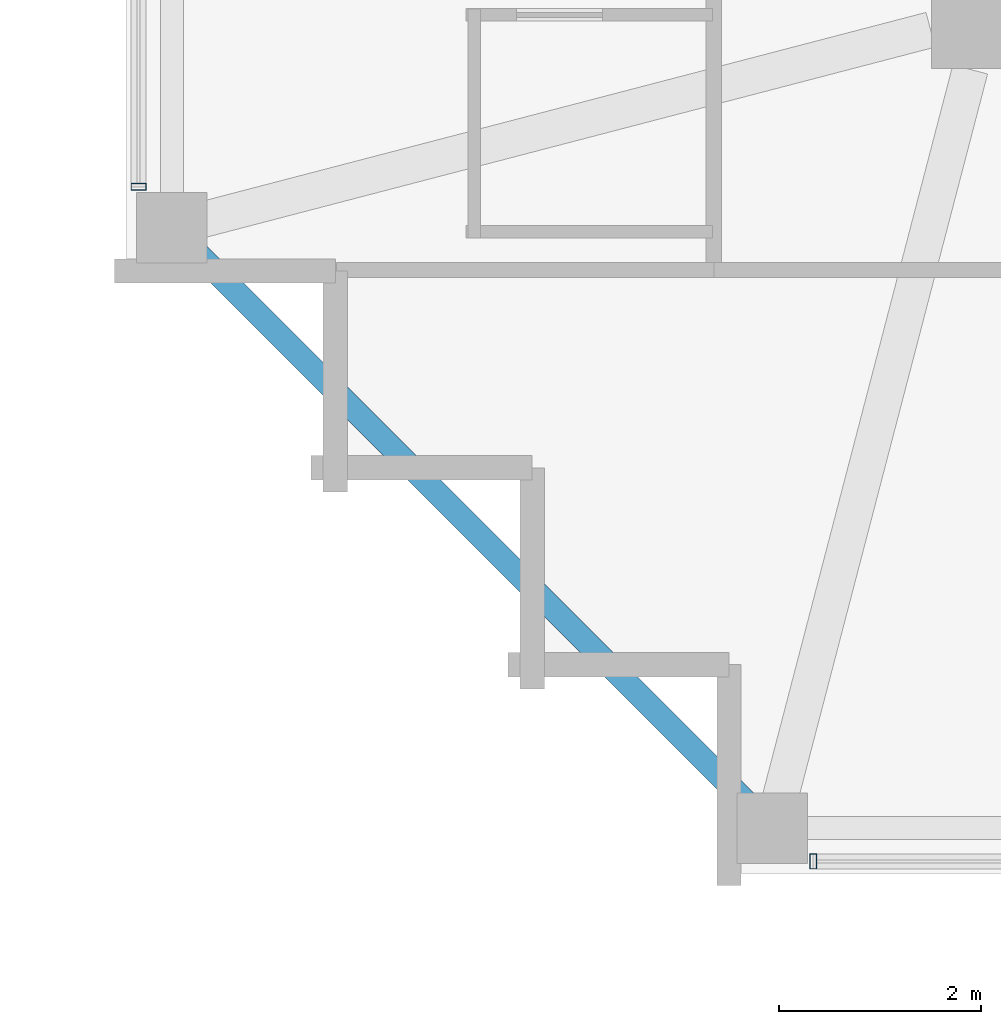
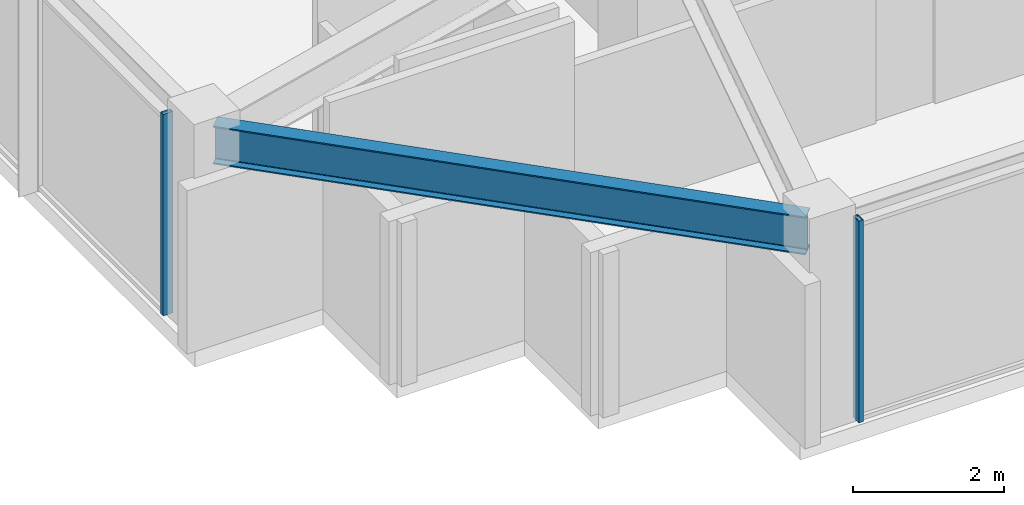
# One storey, part 2 of 29: 2 members, 1 beam, 2 elements without a shape of their own.
"""IFC4 building model written with IfcOpenShell, lengths in metres."""

from ifc_helpers import new_model, si_unit, direction, frame, origin, origin_2d, place, context, subcontext, project, spatial, hollow_rectangle, i_section, extrude, material, material_profile, profile_set, type_object, element, aggregate, save


model = new_model("IFC4")

# Units and contexts
model_context = context("Model", 3, precision=1e-05, world=origin(), true_north=direction((0.0, 1.0)))
body_context = subcontext(model_context, "Body", "Model", "MODEL_VIEW")
ifc_project = project(units=[si_unit("LENGTHUNIT", "METRE"), si_unit("AREAUNIT", "SQUARE_METRE"), si_unit("VOLUMEUNIT", "CUBIC_METRE"), si_unit("PLANEANGLEUNIT", "RADIAN"), si_unit("MASSUNIT", "GRAM", prefix="KILO")], contexts=[model_context])

# Site, building, storey
site_placement = place(None, origin())
site = spatial("IfcSite", under=ifc_project, at=site_placement, CompositionType="ELEMENT")
building_placement = place(site_placement, origin())
building = spatial("IfcBuilding", under=site, at=building_placement, Name="Kolvaren Belvedere", CompositionType="ELEMENT")
storey_placement = place(building_placement, frame((0.0, 0.0, 244.39990234375)))
storey = spatial("IfcBuildingStorey", under=building, at=storey_placement, Name="L71", CompositionType="ELEMENT", Elevation=244.39990234375)

# Beam
ifc_material_1 = material(Name="Structural steel ASTM A992 Grade 50", Category="steel")
ifc_material_profile_1 = material_profile(ifc_material_1, i_section(OverallWidth=0.22900390625, OverallDepth=0.612060546875, WebThickness=0.011962890625, FlangeThickness=0.01953125, FilletRadius=0.01806640625, at=origin_2d()), Name="W24X84")
ifc_profile_set_1 = profile_set([ifc_material_profile_1], Name="Structural steel ASTM A992 Grade 50")
beam_type = type_object("IfcBeamType", Name="BM-SPAN-W24X84", PredefinedType="SPANDREL", material=ifc_profile_set_1)
beam_placement = place(storey_placement, frame((-17.838623046875, -12.111328125, 2.944091796875), z_axis=(0.707106781187, -0.707106781187, 0.0), x_axis=(0.707106781187, 0.707106781187, 0.0)))
element("IfcBeam", 1, at=beam_placement, inside=storey, type_object=beam_type, Name="L71 Perimeter Spandrel W1-S1", PredefinedType="SPANDREL", context=body_context, shape_type="SweptSolid", body=[
    extrude(i_section(OverallWidth=0.22900390625, OverallDepth=0.612060546875, WebThickness=0.011962890625, FlangeThickness=0.01953125, FilletRadius=0.01806640625, at=origin_2d()), origin(), (0.0, 0.0, 1.0), 8.099609375),
])

# Curtain wall, member
ifc_material_2 = material(Name="Anodised pale-metal aluminium AA 6063-T6", Category="aluminium")
curtain_wall_type = type_object("IfcCurtainWallType", Name="CW-Z5-HIGH", PredefinedType="NOTDEFINED", material=ifc_material_2)
curtain_wall_1_placement = place(storey_placement, origin())
curtain_wall_1 = element("IfcCurtainWall", 2, at=curtain_wall_1_placement, inside=storey, type_object=curtain_wall_type, Name="L71 Unitised Curtain Wall FCW-L71-S-B3", PredefinedType="NOTDEFINED")
ifc_material_3 = material(Name="Anodised pale-metal aluminium AA 6063-T6", Category="aluminium")
ifc_material_profile_2 = material_profile(ifc_material_3, hollow_rectangle(XDim=0.070068359375, YDim=0.14990234375, WallThickness=0.004150390625, at=origin_2d()), Name="ALU-MUL-150X70")
ifc_profile_set_2 = profile_set([ifc_material_profile_2], Name="Anodised pale-metal aluminium AA 6063-T6")
member_type = type_object("IfcMemberType", Name="CW-MUL-150", PredefinedType="MULLION", material=ifc_profile_set_2)
member_1_placement = place(storey_placement, frame((-11.594970703125, -18.280029296875, 0.0), z_axis=(0.0, 0.0, 1.0), x_axis=(1.0, 0.0, 0.0)))
member_1 = element("IfcMember", 3, at=member_1_placement, type_object=member_type, Name="FCW-L71-S-B3 Unitised Mullion 3", PredefinedType="MULLION", context=body_context, shape_type="SweptSolid", body=[
    extrude(hollow_rectangle(XDim=0.070068359375, YDim=0.14990234375, WallThickness=0.004150390625, at=origin_2d()), origin(), (0.0, 0.0, 1.0), 3.25),
])
aggregate(curtain_wall_1, [member_1])

curtain_wall_2_placement = place(storey_placement, origin())
curtain_wall_2 = element("IfcCurtainWall", 4, at=curtain_wall_2_placement, inside=storey, type_object=curtain_wall_type, Name="L71 Unitised Curtain Wall FCW-L71-W-B1", PredefinedType="NOTDEFINED")
member_2_placement = place(storey_placement, frame((-18.280029296875, -11.594970703125, 0.0), z_axis=(0.0, 0.0, 1.0), x_axis=(0.0, 1.0, 0.0)))
member_2 = element("IfcMember", 5, at=member_2_placement, type_object=member_type, Name="FCW-L71-W-B1 Unitised Mullion 1", PredefinedType="MULLION", context=body_context, shape_type="SweptSolid", body=[
    extrude(hollow_rectangle(XDim=0.070068359375, YDim=0.14990234375, WallThickness=0.004150390625, at=origin_2d()), origin(), (0.0, 0.0, 1.0), 3.25),
])
aggregate(curtain_wall_2, [member_2])

save(model, "model.ifc")
